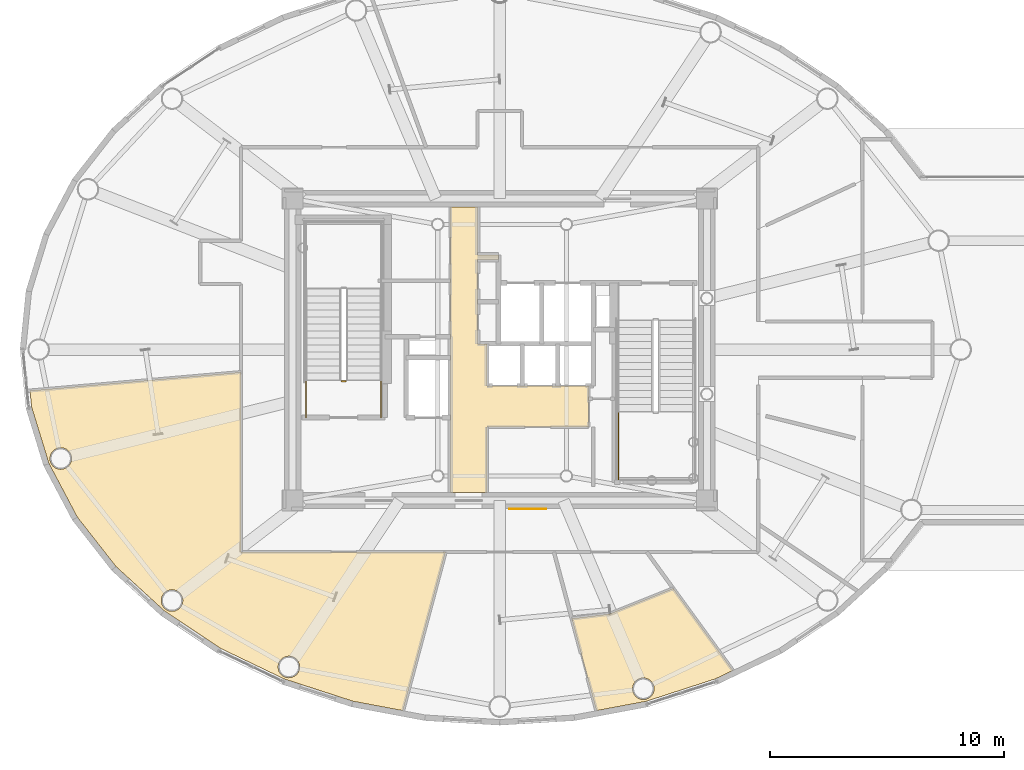
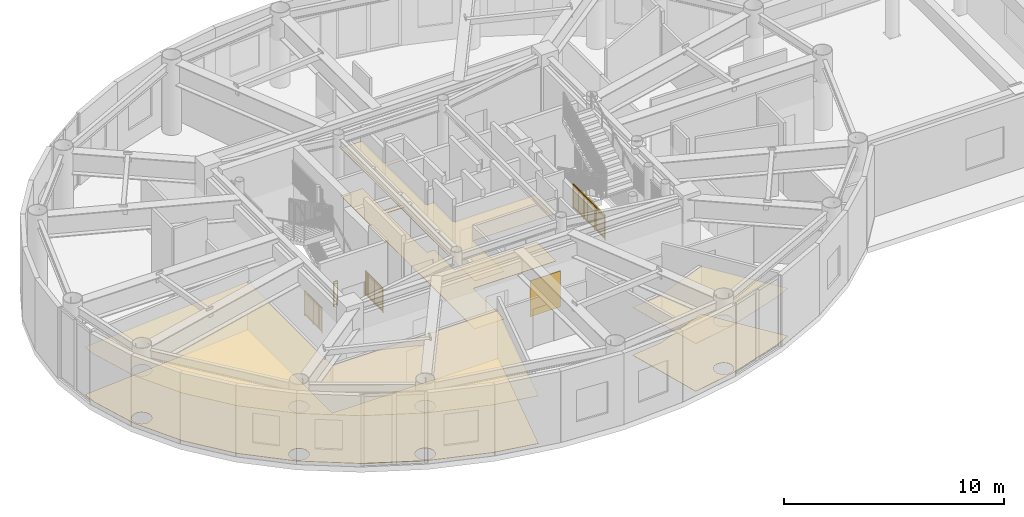
# One storey, part 20 of 26: 7 coverings, 4 railings.
"""IFC4 building model written with IfcOpenShell, lengths in metres."""

from ifc_helpers import new_model, si_unit, direction, frame, origin, origin_2d, place, context, subcontext, project, spatial, polyline, rectangle, outline, extrude, source, transform, mapped, material, layer, layer_set, type_object, element, save


model = new_model("IFC4")

# Units and contexts
model_context = context("Model", 3, precision=1e-05, world=origin(), true_north=direction((0.0, 1.0)))
body_context = subcontext(model_context, "Body", "Model", "MODEL_VIEW")
ifc_project = project(units=[si_unit("LENGTHUNIT", "METRE"), si_unit("AREAUNIT", "SQUARE_METRE"), si_unit("VOLUMEUNIT", "CUBIC_METRE"), si_unit("PLANEANGLEUNIT", "RADIAN"), si_unit("MASSUNIT", "GRAM", prefix="KILO")], contexts=[model_context])

# Site, building, storey
site_placement = place(None, origin())
site = spatial("IfcSite", under=ifc_project, at=site_placement, CompositionType="ELEMENT")
building_placement = place(site_placement, origin())
building = spatial("IfcBuilding", under=site, at=building_placement, Name="Linh Dai School and Residence Tower", CompositionType="ELEMENT")
storey_placement = place(building_placement, frame((0.0, 0.0, 351.0)))
storey = spatial("IfcBuildingStorey", under=building, at=storey_placement, Name="L87", CompositionType="ELEMENT", Elevation=351.0)

# Coverings
ifc_material_1 = material(Name="Mineral Fibre Acoustic Suspended Ceiling", Category="masonry")
ifc_layer_1 = layer(ifc_material_1, 0.02001953125)
ifc_layer_set_1 = layer_set([ifc_layer_1], Name="Mineral Fibre Acoustic Suspended Ceiling")
covering_type_1 = type_object("IfcCoveringType", Name="COV-CEIL-AC-20", PredefinedType="CEILING", material=ifc_layer_set_1)
covering_1_placement = place(storey_placement, frame((0.0, 0.0, 2.64990234375)))
element("IfcCovering", 1, at=covering_1_placement, inside=storey, type_object=covering_type_1, Name="L87 Passenger Lift Lobby Suspended Ceiling", PredefinedType="CEILING", context=body_context, shape_type="SweptSolid", body=[
    extrude(outline(polyline([(35.050048828125, 33.10009765625), (35.050048828125, 31.050048828125), (35.949951171875, 31.050048828125), (35.949951171875, 30.85009765625), (35.050048828125, 30.85009765625), (35.050048828125, 27.25), (35.449951171875, 27.25), (35.449951171875, 25.449951171875), (39.800048828125, 25.449951171875), (39.800048828125, 23.699951171875), (35.449951171875, 23.699951171875), (35.449951171875, 20.89990234375), (33.89990234375, 20.89990234375), (33.89990234375, 33.10009765625), (35.050048828125, 33.10009765625)])), origin(), (0.0, 0.0, 1.0), 0.02001953125),
])
covering_2_placement = place(storey_placement, frame((0.0, 0.0, 2.64990234375)))
element("IfcCovering", 2, at=covering_2_placement, inside=storey, type_object=covering_type_1, Name="L87 Vietnamese Tea Ceremony Pavilion Room Suspended Ceiling", PredefinedType="CEILING", context=body_context, shape_type="SweptSolid", body=[
    extrude(outline(polyline([(26.785888671875, 12.927001953125), (24.073974609375, 14.228515625), (21.658447265625, 15.84423828125), (19.598388671875, 17.733154296875), (17.94384765625, 19.847412109375), (16.734375, 22.134521484375), (15.997314453125, 24.5380859375), (15.926513671875, 25.243896484375), (24.949951171875, 26.033203125), (24.949951171875, 18.35009765625), (33.68212890625, 18.35009765625), (31.86572265625, 11.57080078125), (29.726806640625, 11.97314453125), (26.785888671875, 12.927001953125)]), holes=[polyline([(27.43603515625, 13.318359375), (27.45166015625, 13.43798828125), (27.43603515625, 13.5576171875), (27.389892578125, 13.6689453125), (27.31640625, 13.7646484375), (27.220703125, 13.837890625), (27.109375, 13.88427734375), (26.98974609375, 13.89990234375), (26.8701171875, 13.88427734375), (26.7587890625, 13.837890625), (26.6630859375, 13.7646484375), (26.589599609375, 13.6689453125), (26.54345703125, 13.5576171875), (26.527587890625, 13.43798828125), (26.54345703125, 13.318359375), (26.589599609375, 13.206787109375), (26.6630859375, 13.111083984375), (26.7587890625, 13.037841796875), (26.8701171875, 12.99169921875), (26.98974609375, 12.975830078125), (27.109375, 12.99169921875), (27.220703125, 13.037841796875), (27.31640625, 13.111083984375), (27.389892578125, 13.206787109375), (27.43603515625, 13.318359375)]), polyline([(22.44384765625, 16.15771484375), (22.459716796875, 16.277099609375), (22.44384765625, 16.396728515625), (22.397705078125, 16.50830078125), (22.32421875, 16.60400390625), (22.228515625, 16.67724609375), (22.1171875, 16.723388671875), (21.99755859375, 16.7392578125), (21.8779296875, 16.723388671875), (21.7666015625, 16.67724609375), (21.6708984375, 16.60400390625), (21.597412109375, 16.50830078125), (21.55126953125, 16.396728515625), (21.53564453125, 16.277099609375), (21.55126953125, 16.15771484375), (21.597412109375, 16.046142578125), (21.6708984375, 15.950439453125), (21.7666015625, 15.877197265625), (21.8779296875, 15.8310546875), (21.99755859375, 15.815185546875), (22.1171875, 15.8310546875), (22.228515625, 15.877197265625), (22.32421875, 15.950439453125), (22.397705078125, 16.046142578125), (22.44384765625, 16.15771484375)]), polyline([(17.642333984375, 22.1142578125), (17.6884765625, 22.2255859375), (17.704345703125, 22.34521484375), (17.6884765625, 22.46484375), (17.642333984375, 22.576416015625), (17.569091796875, 22.672119140625), (17.473388671875, 22.745361328125), (17.36181640625, 22.79150390625), (17.2421875, 22.807373046875), (17.122802734375, 22.79150390625), (17.01123046875, 22.745361328125), (16.91552734375, 22.672119140625), (16.84228515625, 22.576416015625), (16.7958984375, 22.46484375), (16.7802734375, 22.34521484375), (16.7958984375, 22.2255859375), (16.84228515625, 22.1142578125), (16.91552734375, 22.0185546875), (17.01123046875, 21.9453125), (17.122802734375, 21.89892578125), (17.2421875, 21.88330078125), (17.36181640625, 21.89892578125), (17.473388671875, 21.9453125), (17.569091796875, 22.0185546875), (17.642333984375, 22.1142578125)])]), origin(), (0.0, 0.0, 1.0), 0.02001953125),
])
covering_3_placement = place(storey_placement, frame((0.0, 0.0, 2.64990234375)))
element("IfcCovering", 3, at=covering_3_placement, inside=storey, type_object=covering_type_1, Name="L87 Sky Viewing Alcove MWC Suspended Ceiling", PredefinedType="CEILING", context=body_context, shape_type="SweptSolid", body=[
    extrude(outline(polyline([(40.687744140625, 15.70068359375), (43.41796875, 16.790283203125), (45.96337890625, 13.28662109375), (45.214111328125, 12.927001953125), (42.273193359375, 11.97314453125), (40.13427734375, 11.57080078125), (39.0810546875, 15.50146484375), (40.687744140625, 15.70068359375)]), holes=[polyline([(42.583740234375, 12.625732421875), (42.53759765625, 12.737060546875), (42.464111328125, 12.832763671875), (42.36865234375, 12.90625), (42.257080078125, 12.952392578125), (42.1376953125, 12.968017578125), (42.01806640625, 12.952392578125), (41.906494140625, 12.90625), (41.810791015625, 12.832763671875), (41.737548828125, 12.737060546875), (41.69140625, 12.625732421875), (41.675537109375, 12.506103515625), (41.69140625, 12.386474609375), (41.737548828125, 12.275146484375), (41.810791015625, 12.179443359375), (41.906494140625, 12.10595703125), (42.01806640625, 12.059814453125), (42.1376953125, 12.044189453125), (42.257080078125, 12.059814453125), (42.36865234375, 12.10595703125), (42.464111328125, 12.179443359375), (42.53759765625, 12.275146484375), (42.583740234375, 12.386474609375), (42.599609375, 12.506103515625), (42.583740234375, 12.625732421875)])]), origin(), (0.0, 0.0, 1.0), 0.02001953125),
])
ifc_material_2 = material(Name="Polished Terrazzo Floor Finish", Category="masonry")
ifc_layer_2 = layer(ifc_material_2, 0.02490234375)
ifc_layer_set_2 = layer_set([ifc_layer_2], Name="Polished Terrazzo Floor Finish")
covering_type_2 = type_object("IfcCoveringType", Name="COV-FLR-TRZ-25", PredefinedType="FLOORING", material=ifc_layer_set_2)
covering_4_placement = place(storey_placement, origin())
element("IfcCovering", 4, at=covering_4_placement, inside=storey, type_object=covering_type_2, Name="L87 Passenger Lift Lobby Floor Finish", PredefinedType="FLOORING", context=body_context, shape_type="SweptSolid", body=[
    extrude(outline(polyline([(35.050048828125, 33.10009765625), (35.050048828125, 31.050048828125), (35.949951171875, 31.050048828125), (35.949951171875, 30.85009765625), (35.050048828125, 30.85009765625), (35.050048828125, 27.25), (35.449951171875, 27.25), (35.449951171875, 25.449951171875), (39.800048828125, 25.449951171875), (39.800048828125, 23.699951171875), (35.449951171875, 23.699951171875), (35.449951171875, 20.89990234375), (33.89990234375, 20.89990234375), (33.89990234375, 33.10009765625), (35.050048828125, 33.10009765625)])), origin(), (0.0, 0.0, 1.0), 0.02001953125),
])
covering_5_placement = place(storey_placement, origin())
element("IfcCovering", 5, at=covering_5_placement, inside=storey, type_object=covering_type_2, Name="L87 Vietnamese Tea Ceremony Pavilion Room Floor Finish", PredefinedType="FLOORING", context=body_context, shape_type="SweptSolid", body=[
    extrude(outline(polyline([(26.785888671875, 12.927001953125), (24.073974609375, 14.228515625), (21.658447265625, 15.84423828125), (19.598388671875, 17.733154296875), (17.94384765625, 19.847412109375), (16.734375, 22.134521484375), (15.997314453125, 24.5380859375), (15.926513671875, 25.243896484375), (24.949951171875, 26.033203125), (24.949951171875, 18.35009765625), (33.68212890625, 18.35009765625), (31.86572265625, 11.57080078125), (29.726806640625, 11.97314453125), (26.785888671875, 12.927001953125)]), holes=[polyline([(27.43603515625, 13.318359375), (27.45166015625, 13.43798828125), (27.43603515625, 13.5576171875), (27.389892578125, 13.6689453125), (27.31640625, 13.7646484375), (27.220703125, 13.837890625), (27.109375, 13.88427734375), (26.98974609375, 13.89990234375), (26.8701171875, 13.88427734375), (26.7587890625, 13.837890625), (26.6630859375, 13.7646484375), (26.589599609375, 13.6689453125), (26.54345703125, 13.5576171875), (26.527587890625, 13.43798828125), (26.54345703125, 13.318359375), (26.589599609375, 13.206787109375), (26.6630859375, 13.111083984375), (26.7587890625, 13.037841796875), (26.8701171875, 12.99169921875), (26.98974609375, 12.975830078125), (27.109375, 12.99169921875), (27.220703125, 13.037841796875), (27.31640625, 13.111083984375), (27.389892578125, 13.206787109375), (27.43603515625, 13.318359375)]), polyline([(22.44384765625, 16.15771484375), (22.459716796875, 16.277099609375), (22.44384765625, 16.396728515625), (22.397705078125, 16.50830078125), (22.32421875, 16.60400390625), (22.228515625, 16.67724609375), (22.1171875, 16.723388671875), (21.99755859375, 16.7392578125), (21.8779296875, 16.723388671875), (21.7666015625, 16.67724609375), (21.6708984375, 16.60400390625), (21.597412109375, 16.50830078125), (21.55126953125, 16.396728515625), (21.53564453125, 16.277099609375), (21.55126953125, 16.15771484375), (21.597412109375, 16.046142578125), (21.6708984375, 15.950439453125), (21.7666015625, 15.877197265625), (21.8779296875, 15.8310546875), (21.99755859375, 15.815185546875), (22.1171875, 15.8310546875), (22.228515625, 15.877197265625), (22.32421875, 15.950439453125), (22.397705078125, 16.046142578125), (22.44384765625, 16.15771484375)]), polyline([(17.642333984375, 22.1142578125), (17.6884765625, 22.2255859375), (17.704345703125, 22.34521484375), (17.6884765625, 22.46484375), (17.642333984375, 22.576416015625), (17.569091796875, 22.672119140625), (17.473388671875, 22.745361328125), (17.36181640625, 22.79150390625), (17.2421875, 22.807373046875), (17.122802734375, 22.79150390625), (17.01123046875, 22.745361328125), (16.91552734375, 22.672119140625), (16.84228515625, 22.576416015625), (16.7958984375, 22.46484375), (16.7802734375, 22.34521484375), (16.7958984375, 22.2255859375), (16.84228515625, 22.1142578125), (16.91552734375, 22.0185546875), (17.01123046875, 21.9453125), (17.122802734375, 21.89892578125), (17.2421875, 21.88330078125), (17.36181640625, 21.89892578125), (17.473388671875, 21.9453125), (17.569091796875, 22.0185546875), (17.642333984375, 22.1142578125)])]), origin(), (0.0, 0.0, 1.0), 0.02001953125),
])
covering_6_placement = place(storey_placement, origin())
element("IfcCovering", 6, at=covering_6_placement, inside=storey, type_object=covering_type_2, Name="L87 Sky Viewing Alcove MWC Floor Finish", PredefinedType="FLOORING", context=body_context, shape_type="SweptSolid", body=[
    extrude(outline(polyline([(40.687744140625, 15.70068359375), (43.41796875, 16.790283203125), (45.96337890625, 13.28662109375), (45.214111328125, 12.927001953125), (42.273193359375, 11.97314453125), (40.13427734375, 11.57080078125), (39.0810546875, 15.50146484375), (40.687744140625, 15.70068359375)]), holes=[polyline([(42.583740234375, 12.625732421875), (42.53759765625, 12.737060546875), (42.464111328125, 12.832763671875), (42.36865234375, 12.90625), (42.257080078125, 12.952392578125), (42.1376953125, 12.968017578125), (42.01806640625, 12.952392578125), (41.906494140625, 12.90625), (41.810791015625, 12.832763671875), (41.737548828125, 12.737060546875), (41.69140625, 12.625732421875), (41.675537109375, 12.506103515625), (41.69140625, 12.386474609375), (41.737548828125, 12.275146484375), (41.810791015625, 12.179443359375), (41.906494140625, 12.10595703125), (42.01806640625, 12.059814453125), (42.1376953125, 12.044189453125), (42.257080078125, 12.059814453125), (42.36865234375, 12.10595703125), (42.464111328125, 12.179443359375), (42.53759765625, 12.275146484375), (42.583740234375, 12.386474609375), (42.599609375, 12.506103515625), (42.583740234375, 12.625732421875)])]), origin(), (0.0, 0.0, 1.0), 0.02001953125),
])

# Railings
ifc_material_3 = material(Name="Structural Steel S355JR", Category="steel")
railing_type = type_object("IfcRailingType", Name="RL-ST-GUARD-1400", PredefinedType="GUARDRAIL", material=ifc_material_3)
shared_shape_1 = source(origin(), body_context, "Body", "SweptSolid", [
    extrude(rectangle(XDim=0.048095703125, YDim=0.048095703125, at=origin_2d()), frame((0.0, 0.0, 1.3759765625), z_axis=(-1.0, 0.0, 0.0), x_axis=(0.0, -1.0, 0.0)), (0.0, 0.0, 1.0), 0.199951171875),
    extrude(rectangle(XDim=0.048095703125, YDim=0.048095703125, at=origin_2d()), frame((0.0, 0.0, 0.10009765625), z_axis=(-1.0, 0.0, 0.0), x_axis=(0.0, -1.0, 0.0)), (0.0, 0.0, 1.0), 0.199951171875),
    extrude(rectangle(XDim=0.030029296875, YDim=0.030029296875, at=origin_2d()), frame((0.0, 0.0, 1.239990234375), z_axis=(-1.0, 0.0, 0.0), x_axis=(0.0, -1.0, 0.0)), (0.0, 0.0, 1.0), 0.199951171875),
    extrude(rectangle(XDim=0.0419921875, YDim=0.0419921875, at=origin_2d()), origin(), (0.0, 0.0, 1.0), 1.3759765625),
    extrude(rectangle(XDim=0.0419921875, YDim=0.0419921875, at=origin_2d()), frame((-0.199951171875, 0.0, 0.0)), (0.0, 0.0, 1.0), 1.3759765625),
])
railing_1_placement = place(storey_placement, frame((29.429931640625, 25.64990234375, 0.0)))
element("IfcRailing", 7, at=railing_1_placement, inside=storey, type_object=railing_type, Name="L87 ST1 stair guard 7", PredefinedType="GUARDRAIL", context=body_context, shape_type="MappedRepresentation", body=[
    mapped(shared_shape_1, transform((0.0, 0.0, 0.0), x_axis=(1.0, 0.0, 0.0), y_axis=(0.0, 1.0, 0.0), z_axis=(0.0, 0.0, 1.0), scale=1.0)),
])
shared_shape_2 = source(origin(), body_context, "Body", "SweptSolid", [
    extrude(rectangle(XDim=0.048095703125, YDim=0.048095703125, at=origin_2d()), frame((0.0, 0.0, 1.3759765625), z_axis=(0.0, 1.0, 0.0), x_axis=(-1.0, 0.0, 0.0)), (0.0, 0.0, 1.0), 1.599853515625),
    extrude(rectangle(XDim=0.048095703125, YDim=0.048095703125, at=origin_2d()), frame((0.0, 0.0, 0.10009765625), z_axis=(0.0, 1.0, 0.0), x_axis=(-1.0, 0.0, 0.0)), (0.0, 0.0, 1.0), 1.599853515625),
    extrude(rectangle(XDim=0.030029296875, YDim=0.030029296875, at=origin_2d()), frame((0.0, 0.0, 1.239990234375), z_axis=(0.0, 1.0, 0.0), x_axis=(-1.0, 0.0, 0.0)), (0.0, 0.0, 1.0), 1.599853515625),
    extrude(rectangle(XDim=0.02001953125, YDim=0.02001953125, at=origin_2d()), frame((0.0, 0.093994140625, 0.10009765625)), (0.0, 0.0, 1.0), 1.251708984375),
    extrude(rectangle(XDim=0.02001953125, YDim=0.02001953125, at=origin_2d()), frame((0.0, 0.188232421875, 0.10009765625)), (0.0, 0.0, 1.0), 1.251708984375),
    extrude(rectangle(XDim=0.02001953125, YDim=0.02001953125, at=origin_2d()), frame((0.0, 0.2822265625, 0.10009765625)), (0.0, 0.0, 1.0), 1.251708984375),
    extrude(rectangle(XDim=0.02001953125, YDim=0.02001953125, at=origin_2d()), frame((0.0, 0.37646484375, 0.10009765625)), (0.0, 0.0, 1.0), 1.251708984375),
    extrude(rectangle(XDim=0.02001953125, YDim=0.02001953125, at=origin_2d()), frame((0.0, 0.470458984375, 0.10009765625)), (0.0, 0.0, 1.0), 1.251708984375),
    extrude(rectangle(XDim=0.02001953125, YDim=0.02001953125, at=origin_2d()), frame((0.0, 0.564697265625, 0.10009765625)), (0.0, 0.0, 1.0), 1.251708984375),
    extrude(rectangle(XDim=0.02001953125, YDim=0.02001953125, at=origin_2d()), frame((0.0, 0.65869140625, 0.10009765625)), (0.0, 0.0, 1.0), 1.251708984375),
    extrude(rectangle(XDim=0.02001953125, YDim=0.02001953125, at=origin_2d()), frame((0.0, 0.7529296875, 0.10009765625)), (0.0, 0.0, 1.0), 1.251708984375),
    extrude(rectangle(XDim=0.02001953125, YDim=0.02001953125, at=origin_2d()), frame((0.0, 0.846923828125, 0.10009765625)), (0.0, 0.0, 1.0), 1.251708984375),
    extrude(rectangle(XDim=0.02001953125, YDim=0.02001953125, at=origin_2d()), frame((0.0, 0.941162109375, 0.10009765625)), (0.0, 0.0, 1.0), 1.251708984375),
    extrude(rectangle(XDim=0.02001953125, YDim=0.02001953125, at=origin_2d()), frame((0.0, 1.03515625, 0.10009765625)), (0.0, 0.0, 1.0), 1.251708984375),
    extrude(rectangle(XDim=0.02001953125, YDim=0.02001953125, at=origin_2d()), frame((0.0, 1.12939453125, 0.10009765625)), (0.0, 0.0, 1.0), 1.251708984375),
    extrude(rectangle(XDim=0.02001953125, YDim=0.02001953125, at=origin_2d()), frame((0.0, 1.223388671875, 0.10009765625)), (0.0, 0.0, 1.0), 1.251708984375),
    extrude(rectangle(XDim=0.02001953125, YDim=0.02001953125, at=origin_2d()), frame((0.0, 1.317626953125, 0.10009765625)), (0.0, 0.0, 1.0), 1.251708984375),
    extrude(rectangle(XDim=0.02001953125, YDim=0.02001953125, at=origin_2d()), frame((0.0, 1.41162109375, 0.10009765625)), (0.0, 0.0, 1.0), 1.251708984375),
    extrude(rectangle(XDim=0.02001953125, YDim=0.02001953125, at=origin_2d()), frame((0.0, 1.505859375, 0.10009765625)), (0.0, 0.0, 1.0), 1.251708984375),
    extrude(rectangle(XDim=0.0419921875, YDim=0.0419921875, at=origin_2d()), origin(), (0.0, 0.0, 1.0), 1.3759765625),
    extrude(rectangle(XDim=0.0419921875, YDim=0.0419921875, at=origin_2d()), frame((0.0, 0.7998046875, 0.0)), (0.0, 0.0, 1.0), 1.3759765625),
    extrude(rectangle(XDim=0.0419921875, YDim=0.0419921875, at=origin_2d()), frame((0.0, 1.599853515625, 0.0)), (0.0, 0.0, 1.0), 1.3759765625),
])
for number, where, name in (
    (8, (30.929931640625, 24.10009765625, 0.0), "L87 ST1 stair guard 8"),
    (9, (27.72998046875, 24.10009765625, 0.0), "L87 ST1 stair guard 9"),
):
    element("IfcRailing", number, at=place(storey_placement, frame(where)), inside=storey, type_object=railing_type, Name=name, PredefinedType="GUARDRAIL", context=body_context, shape_type="MappedRepresentation", body=[
        mapped(shared_shape_2, transform((0.0, 0.0, 0.0), x_axis=(1.0, 0.0, 0.0), y_axis=(0.0, 1.0, 0.0), z_axis=(0.0, 0.0, 1.0), scale=1.0)),
    ])
shared_shape_3 = source(origin(), body_context, "Body", "SweptSolid", [
    extrude(rectangle(XDim=0.048095703125, YDim=0.048095703125, at=origin_2d()), frame((0.0, 0.0, 1.3759765625), z_axis=(0.0, -1.0, 0.0), x_axis=(1.0, 0.0, 0.0)), (0.0, 0.0, 1.0), 2.900146484375),
    extrude(rectangle(XDim=0.048095703125, YDim=0.048095703125, at=origin_2d()), frame((0.0, 0.0, 0.10009765625), z_axis=(0.0, -1.0, 0.0), x_axis=(1.0, 0.0, 0.0)), (0.0, 0.0, 1.0), 2.900146484375),
    extrude(rectangle(XDim=0.030029296875, YDim=0.030029296875, at=origin_2d()), frame((0.0, 0.0, 1.239990234375), z_axis=(0.0, -1.0, 0.0), x_axis=(1.0, 0.0, 0.0)), (0.0, 0.0, 1.0), 2.900146484375),
    extrude(rectangle(XDim=0.02001953125, YDim=0.02001953125, at=origin_2d()), frame((0.0, -0.0966796875, 0.10009765625)), (0.0, 0.0, 1.0), 1.251708984375),
    extrude(rectangle(XDim=0.02001953125, YDim=0.02001953125, at=origin_2d()), frame((0.0, -0.193359375, 0.10009765625)), (0.0, 0.0, 1.0), 1.251708984375),
    extrude(rectangle(XDim=0.02001953125, YDim=0.02001953125, at=origin_2d()), frame((0.0, -0.2900390625, 0.10009765625)), (0.0, 0.0, 1.0), 1.251708984375),
    extrude(rectangle(XDim=0.02001953125, YDim=0.02001953125, at=origin_2d()), frame((0.0, -0.38671875, 0.10009765625)), (0.0, 0.0, 1.0), 1.251708984375),
    extrude(rectangle(XDim=0.02001953125, YDim=0.02001953125, at=origin_2d()), frame((0.0, -0.4833984375, 0.10009765625)), (0.0, 0.0, 1.0), 1.251708984375),
    extrude(rectangle(XDim=0.02001953125, YDim=0.02001953125, at=origin_2d()), frame((0.0, -0.580078125, 0.10009765625)), (0.0, 0.0, 1.0), 1.251708984375),
    extrude(rectangle(XDim=0.02001953125, YDim=0.02001953125, at=origin_2d()), frame((0.0, -0.6767578125, 0.10009765625)), (0.0, 0.0, 1.0), 1.251708984375),
    extrude(rectangle(XDim=0.02001953125, YDim=0.02001953125, at=origin_2d()), frame((0.0, -0.7734375, 0.10009765625)), (0.0, 0.0, 1.0), 1.251708984375),
    extrude(rectangle(XDim=0.02001953125, YDim=0.02001953125, at=origin_2d()), frame((0.0, -0.8701171875, 0.10009765625)), (0.0, 0.0, 1.0), 1.251708984375),
    extrude(rectangle(XDim=0.02001953125, YDim=0.02001953125, at=origin_2d()), frame((0.0, -1.0634765625, 0.10009765625)), (0.0, 0.0, 1.0), 1.251708984375),
    extrude(rectangle(XDim=0.02001953125, YDim=0.02001953125, at=origin_2d()), frame((0.0, -1.16015625, 0.10009765625)), (0.0, 0.0, 1.0), 1.251708984375),
    extrude(rectangle(XDim=0.02001953125, YDim=0.02001953125, at=origin_2d()), frame((0.0, -1.2568359375, 0.10009765625)), (0.0, 0.0, 1.0), 1.251708984375),
    extrude(rectangle(XDim=0.02001953125, YDim=0.02001953125, at=origin_2d()), frame((0.0, -1.353515625, 0.10009765625)), (0.0, 0.0, 1.0), 1.251708984375),
    extrude(rectangle(XDim=0.02001953125, YDim=0.02001953125, at=origin_2d()), frame((0.0, -1.4501953125, 0.10009765625)), (0.0, 0.0, 1.0), 1.251708984375),
    extrude(rectangle(XDim=0.02001953125, YDim=0.02001953125, at=origin_2d()), frame((0.0, -1.546630859375, 0.10009765625)), (0.0, 0.0, 1.0), 1.251708984375),
    extrude(rectangle(XDim=0.02001953125, YDim=0.02001953125, at=origin_2d()), frame((0.0, -1.643310546875, 0.10009765625)), (0.0, 0.0, 1.0), 1.251708984375),
    extrude(rectangle(XDim=0.02001953125, YDim=0.02001953125, at=origin_2d()), frame((0.0, -1.739990234375, 0.10009765625)), (0.0, 0.0, 1.0), 1.251708984375),
    extrude(rectangle(XDim=0.02001953125, YDim=0.02001953125, at=origin_2d()), frame((0.0, -1.836669921875, 0.10009765625)), (0.0, 0.0, 1.0), 1.251708984375),
    extrude(rectangle(XDim=0.02001953125, YDim=0.02001953125, at=origin_2d()), frame((0.0, -2.030029296875, 0.10009765625)), (0.0, 0.0, 1.0), 1.251708984375),
    extrude(rectangle(XDim=0.02001953125, YDim=0.02001953125, at=origin_2d()), frame((0.0, -2.126708984375, 0.10009765625)), (0.0, 0.0, 1.0), 1.251708984375),
    extrude(rectangle(XDim=0.02001953125, YDim=0.02001953125, at=origin_2d()), frame((0.0, -2.223388671875, 0.10009765625)), (0.0, 0.0, 1.0), 1.251708984375),
    extrude(rectangle(XDim=0.02001953125, YDim=0.02001953125, at=origin_2d()), frame((0.0, -2.320068359375, 0.10009765625)), (0.0, 0.0, 1.0), 1.251708984375),
    extrude(rectangle(XDim=0.02001953125, YDim=0.02001953125, at=origin_2d()), frame((0.0, -2.416748046875, 0.10009765625)), (0.0, 0.0, 1.0), 1.251708984375),
    extrude(rectangle(XDim=0.02001953125, YDim=0.02001953125, at=origin_2d()), frame((0.0, -2.513427734375, 0.10009765625)), (0.0, 0.0, 1.0), 1.251708984375),
    extrude(rectangle(XDim=0.02001953125, YDim=0.02001953125, at=origin_2d()), frame((0.0, -2.610107421875, 0.10009765625)), (0.0, 0.0, 1.0), 1.251708984375),
    extrude(rectangle(XDim=0.02001953125, YDim=0.02001953125, at=origin_2d()), frame((0.0, -2.706787109375, 0.10009765625)), (0.0, 0.0, 1.0), 1.251708984375),
    extrude(rectangle(XDim=0.02001953125, YDim=0.02001953125, at=origin_2d()), frame((0.0, -2.803466796875, 0.10009765625)), (0.0, 0.0, 1.0), 1.251708984375),
    extrude(rectangle(XDim=0.0419921875, YDim=0.0419921875, at=origin_2d()), origin(), (0.0, 0.0, 1.0), 1.3759765625),
    extrude(rectangle(XDim=0.0419921875, YDim=0.0419921875, at=origin_2d()), frame((0.0, -0.966796875, 0.0)), (0.0, 0.0, 1.0), 1.3759765625),
    extrude(rectangle(XDim=0.0419921875, YDim=0.0419921875, at=origin_2d()), frame((0.0, -1.933349609375, 0.0)), (0.0, 0.0, 1.0), 1.3759765625),
    extrude(rectangle(XDim=0.0419921875, YDim=0.0419921875, at=origin_2d()), frame((0.0, -2.900146484375, 0.0)), (0.0, 0.0, 1.0), 1.3759765625),
])
railing_2_placement = place(storey_placement, frame((41.070068359375, 24.35009765625, 2.10009765625)))
element("IfcRailing", 10, at=railing_2_placement, inside=storey, type_object=railing_type, Name="L87 ST2 stair guard 3", PredefinedType="GUARDRAIL", context=body_context, shape_type="MappedRepresentation", body=[
    mapped(shared_shape_3, transform((0.0, 0.0, 0.0), x_axis=(1.0, 0.0, 0.0), y_axis=(0.0, 1.0, 0.0), z_axis=(0.0, 0.0, 1.0), scale=1.0)),
])

# Covering
ifc_material_4 = material(Name="Glazed Terracotta Acoustic Feature Cladding", Category="masonry")
ifc_layer_3 = layer(ifc_material_4, 0.030029296875)
ifc_layer_set_3 = layer_set([ifc_layer_3], Name="Glazed Terracotta Acoustic Feature Cladding")
covering_type_3 = type_object("IfcCoveringType", Name="COV-CLAD-TC-30", PredefinedType="CLADDING", material=ifc_layer_set_3)
shared_shape_4 = source(origin(), body_context, "Body", "SweptSolid", [
    extrude(rectangle(XDim=1.60009765625, YDim=0.030029296875, at=origin_2d()), origin(), (0.0, 0.0, 1.0), 2.0),
])
covering_7_placement = place(storey_placement, frame((37.199951171875, 20.18505859375, 0.25), z_axis=(0.0, 0.0, 1.0), x_axis=(1.0, 0.0, 0.0)))
element("IfcCovering", 11, at=covering_7_placement, inside=storey, type_object=covering_type_3, Name="L87 Core Lobby Terracotta Feature Cladding", PredefinedType="CLADDING", context=body_context, shape_type="MappedRepresentation", body=[
    mapped(shared_shape_4, transform((0.0, 0.0, 0.0), x_axis=(1.0, 0.0, 0.0), y_axis=(0.0, 1.0, 0.0), z_axis=(0.0, 0.0, 1.0), scale=1.0)),
])

save(model, "model.ifc")
